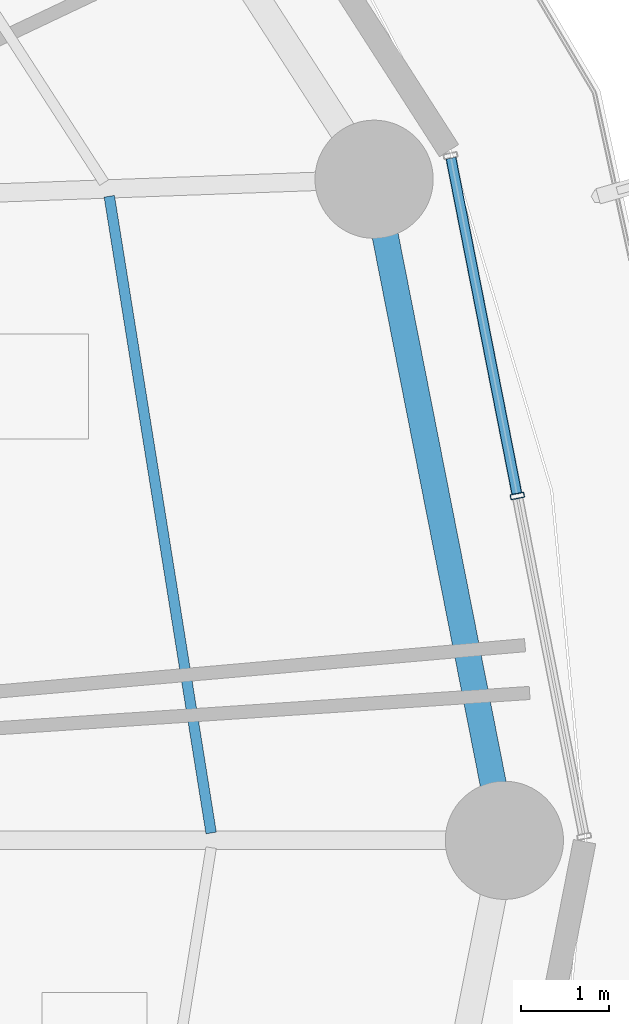
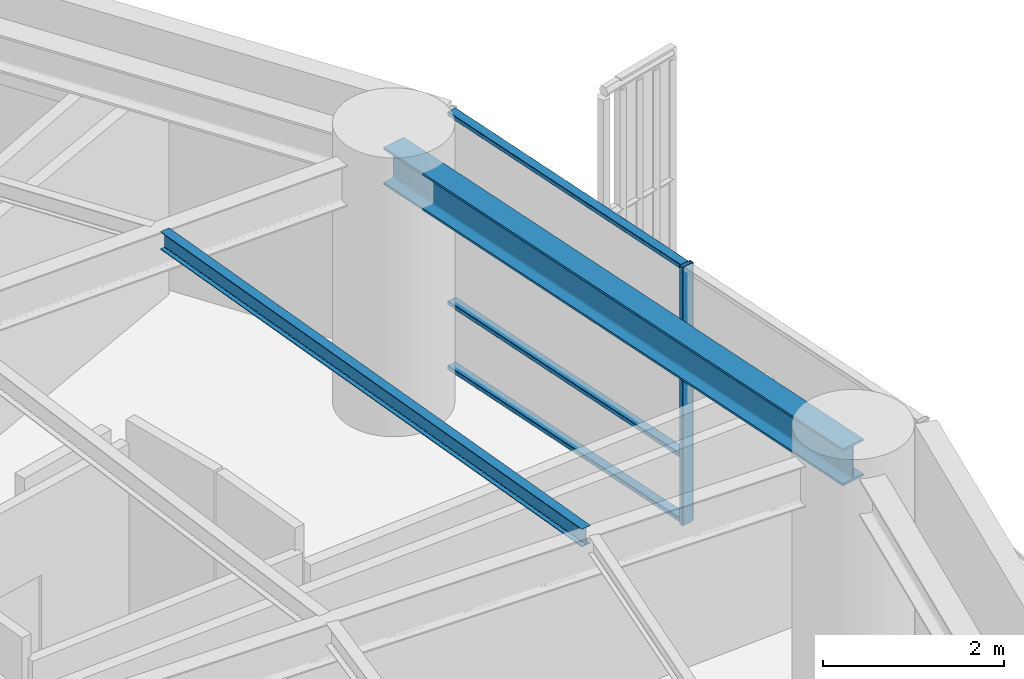
# One storey, part 17 of 36: 4 members, 2 beams, 1 element without a shape of its own.
"""IFC4 building model written with IfcOpenShell, lengths in metres."""

from ifc_helpers import new_model, si_unit, direction, frame, origin, origin_2d, place, context, subcontext, project, spatial, hollow_rectangle, i_section, extrude, material, layer, layer_set, material_profile, profile_set, type_object, element, aggregate, save


model = new_model("IFC4")

# Units and contexts
model_context = context("Model", 3, precision=1e-05, world=origin(), true_north=direction((0.0, 1.0)))
body_context = subcontext(model_context, "Body", "Model", "MODEL_VIEW")
ifc_project = project(units=[si_unit("LENGTHUNIT", "METRE"), si_unit("AREAUNIT", "SQUARE_METRE"), si_unit("VOLUMEUNIT", "CUBIC_METRE"), si_unit("PLANEANGLEUNIT", "RADIAN"), si_unit("MASSUNIT", "GRAM", prefix="KILO")], contexts=[model_context])

# Site, building, storey
site_placement = place(None, origin())
site = spatial("IfcSite", under=ifc_project, at=site_placement, CompositionType="ELEMENT")
building_placement = place(site_placement, origin())
building = spatial("IfcBuilding", under=site, at=building_placement, Name="Kelanora Arch Commons", CompositionType="ELEMENT")
storey_placement = place(building_placement, frame((0.0, 0.0, 102.60009765625)))
storey = spatial("IfcBuildingStorey", under=building, at=storey_placement, Name="L26", CompositionType="ELEMENT", Elevation=102.60009765625)

# Beams
ifc_material_1 = material(Name="Steel S355", Category="steel")
ifc_material_profile_1 = material_profile(ifc_material_1, i_section(OverallWidth=0.1201171875, OverallDepth=0.239990234375, WebThickness=0.006103515625, FlangeThickness=0.009765625, FilletRadius=0.014892578125, at=origin_2d()), Name="IPE240")
ifc_profile_set_1 = profile_set([ifc_material_profile_1], Name="Steel S355")
beam_type_1 = type_object("IfcBeamType", Name="BM-JST-02", PredefinedType="JOIST", material=ifc_profile_set_1)
beam_1_placement = place(storey_placement, frame((95.33056640625, 58.083984375, 3.369873046875), z_axis=(-0.157999549894, 0.987439184068, 0.0), x_axis=(-0.987439184068, -0.157999549894, 0.0)))
element("IfcBeam", 1, at=beam_1_placement, inside=storey, type_object=beam_type_1, Name="Secondary Chord Joist BJC-00 L26", PredefinedType="JOIST", context=body_context, shape_type="SweptSolid", body=[
    extrude(i_section(OverallWidth=0.1201171875, OverallDepth=0.239990234375, WebThickness=0.006103515625, FlangeThickness=0.009765625, FilletRadius=0.014892578125, at=origin_2d()), origin(), (0.0, 0.0, 1.0), 7.365966796875),
])
ifc_material_profile_2 = material_profile(ifc_material_1, i_section(OverallWidth=0.300048828125, OverallDepth=0.5, WebThickness=0.014404296875, FlangeThickness=0.028076171875, FilletRadius=0.027099609375, at=origin_2d()), Name="HEB500")
ifc_profile_set_2 = profile_set([ifc_material_profile_2], Name="Steel S355")
beam_type_2 = type_object("IfcBeamType", Name="BM-SPN-Z2", PredefinedType="SPANDREL", material=ifc_profile_set_2)
beam_2_placement = place(storey_placement, frame((98.679931640625, 58.0, 3.239990234375), z_axis=(-0.19335825777, 0.981128220037, 0.0), x_axis=(-0.981128220037, -0.19335825777, 0.0)))
element("IfcBeam", 2, at=beam_2_placement, inside=storey, type_object=beam_type_2, Name="Perimeter Spandrel Beam BS-00 L26", PredefinedType="SPANDREL", context=body_context, shape_type="SweptSolid", body=[
    extrude(i_section(OverallWidth=0.300048828125, OverallDepth=0.5, WebThickness=0.014404296875, FlangeThickness=0.028076171875, FilletRadius=0.027099609375, at=origin_2d()), origin(), (0.0, 0.0, 1.0), 7.697021484375),
])

# Curtain wall, members
ifc_material_2 = material(Name="Terracotta ceramic-fritted low-E glass and aluminium", Category="masonry")
ifc_layer = layer(ifc_material_2, 0.159912109375)
ifc_layer_set = layer_set([ifc_layer], Name="Terracotta ceramic-fritted low-E glass and aluminium")
curtain_wall_type = type_object("IfcCurtainWallType", Name="CW-SYS-01", PredefinedType="NOTDEFINED", material=ifc_layer_set)
curtain_wall_placement = place(storey_placement, origin())
curtain_wall = element("IfcCurtainWall", 3, at=curtain_wall_placement, inside=storey, type_object=curtain_wall_type, Name="Unitised Curtain Wall L26-B00", PredefinedType="NOTDEFINED")
ifc_material_3 = material(Name="Powder-coated aluminium terracotta", Category="masonry")
ifc_material_profile_3 = material_profile(ifc_material_3, hollow_rectangle(XDim=0.159912109375, YDim=0.06005859375, WallThickness=0.0048828125, InnerFilletRadius=0.0048828125, OuterFilletRadius=0.010009765625, at=origin_2d()), Name="CWM160x60")
ifc_profile_set_3 = profile_set([ifc_material_profile_3], Name="Powder-coated aluminium terracotta")
member_type_1 = type_object("IfcMemberType", Name="CWM-STD", PredefinedType="MULLION", material=ifc_profile_set_3)
member_1_placement = place(storey_placement, frame((98.828125, 61.933349609375, 0.0), z_axis=(0.0, 0.0, 1.0), x_axis=(-0.981280311646, -0.192584916272, 0.0)))
member_1 = element("IfcMember", 4, at=member_1_placement, type_object=member_type_1, Name="CW-01 mullion 2", PredefinedType="MULLION", context=body_context, shape_type="SweptSolid", body=[
    extrude(hollow_rectangle(XDim=0.159912109375, YDim=0.06005859375, WallThickness=0.0048828125, InnerFilletRadius=0.0048828125, OuterFilletRadius=0.010009765625, at=origin_2d()), origin(), (0.0, 0.0, 1.0), 3.474853515625),
])
ifc_material_profile_4 = material_profile(ifc_material_3, hollow_rectangle(XDim=0.1201171875, YDim=0.06005859375, WallThickness=0.0048828125, InnerFilletRadius=0.0048828125, OuterFilletRadius=0.010009765625, at=origin_2d()), Name="CWT120x60")
ifc_profile_set_4 = profile_set([ifc_material_profile_4], Name="Powder-coated aluminium terracotta")
member_type_2 = type_object("IfcMemberType", Name="CWT-STD", PredefinedType="USERDEFINED", material=ifc_profile_set_4)
member_2_placement = place(storey_placement, frame((98.822265625, 61.962646484375, 0.02978515625), z_axis=(-0.192578614785, 0.981281548348, 0.0), x_axis=(-0.981281548348, -0.192578614785, 0.0)))
member_2 = element("IfcMember", 5, at=member_2_placement, type_object=member_type_2, Name="CW-01 transom 2.1", ObjectType="TRANSOM", PredefinedType="USERDEFINED", context=body_context, shape_type="SweptSolid", body=[
    extrude(hollow_rectangle(XDim=0.1201171875, YDim=0.06005859375, WallThickness=0.0048828125, InnerFilletRadius=0.0048828125, OuterFilletRadius=0.010009765625, at=origin_2d()), origin(), (0.0, 0.0, 1.0), 3.9033203125),
])
member_3_placement = place(storey_placement, frame((98.822265625, 61.962646484375, 0.89990234375), z_axis=(-0.192578614785, 0.981281548348, 0.0), x_axis=(-0.981281548348, -0.192578614785, 0.0)))
member_3 = element("IfcMember", 6, at=member_3_placement, type_object=member_type_2, Name="CW-01 transom 2.2", ObjectType="TRANSOM", PredefinedType="USERDEFINED", context=body_context, shape_type="SweptSolid", body=[
    extrude(hollow_rectangle(XDim=0.1201171875, YDim=0.06005859375, WallThickness=0.0048828125, InnerFilletRadius=0.0048828125, OuterFilletRadius=0.010009765625, at=origin_2d()), origin(), (0.0, 0.0, 1.0), 3.9033203125),
])
member_4_placement = place(storey_placement, frame((98.822265625, 61.962646484375, 3.44482421875), z_axis=(-0.192578614785, 0.981281548348, 0.0), x_axis=(-0.981281548348, -0.192578614785, 0.0)))
member_4 = element("IfcMember", 7, at=member_4_placement, type_object=member_type_2, Name="CW-01 transom 2.3", ObjectType="TRANSOM", PredefinedType="USERDEFINED", context=body_context, shape_type="SweptSolid", body=[
    extrude(hollow_rectangle(XDim=0.1201171875, YDim=0.06005859375, WallThickness=0.0048828125, InnerFilletRadius=0.0048828125, OuterFilletRadius=0.010009765625, at=origin_2d()), origin(), (0.0, 0.0, 1.0), 3.9033203125),
])
aggregate(curtain_wall, [member_1, member_2, member_3, member_4])

save(model, "model.ifc")
